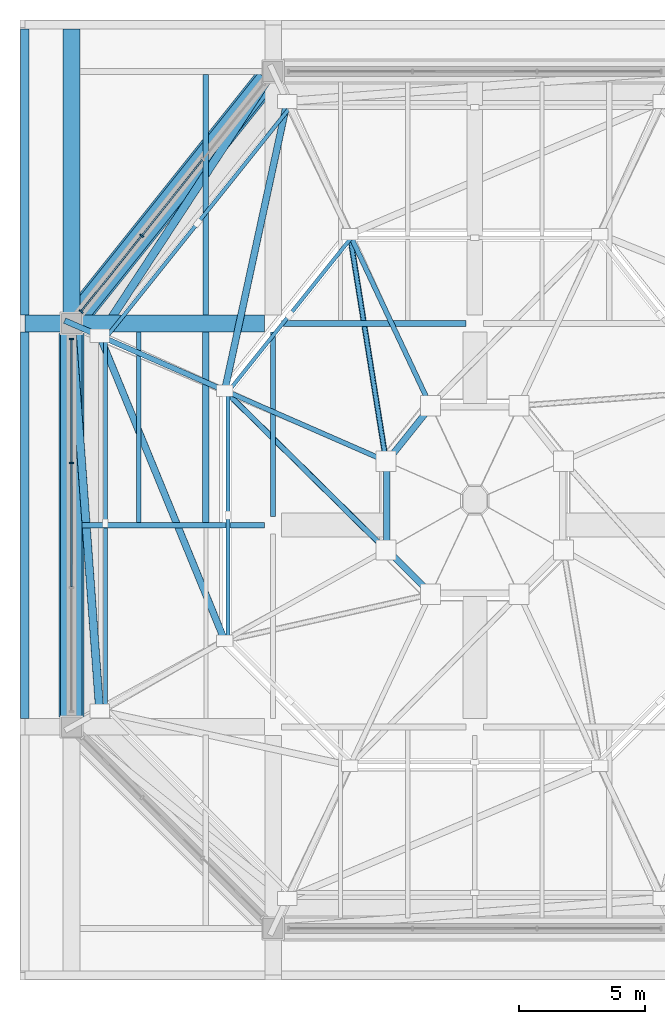
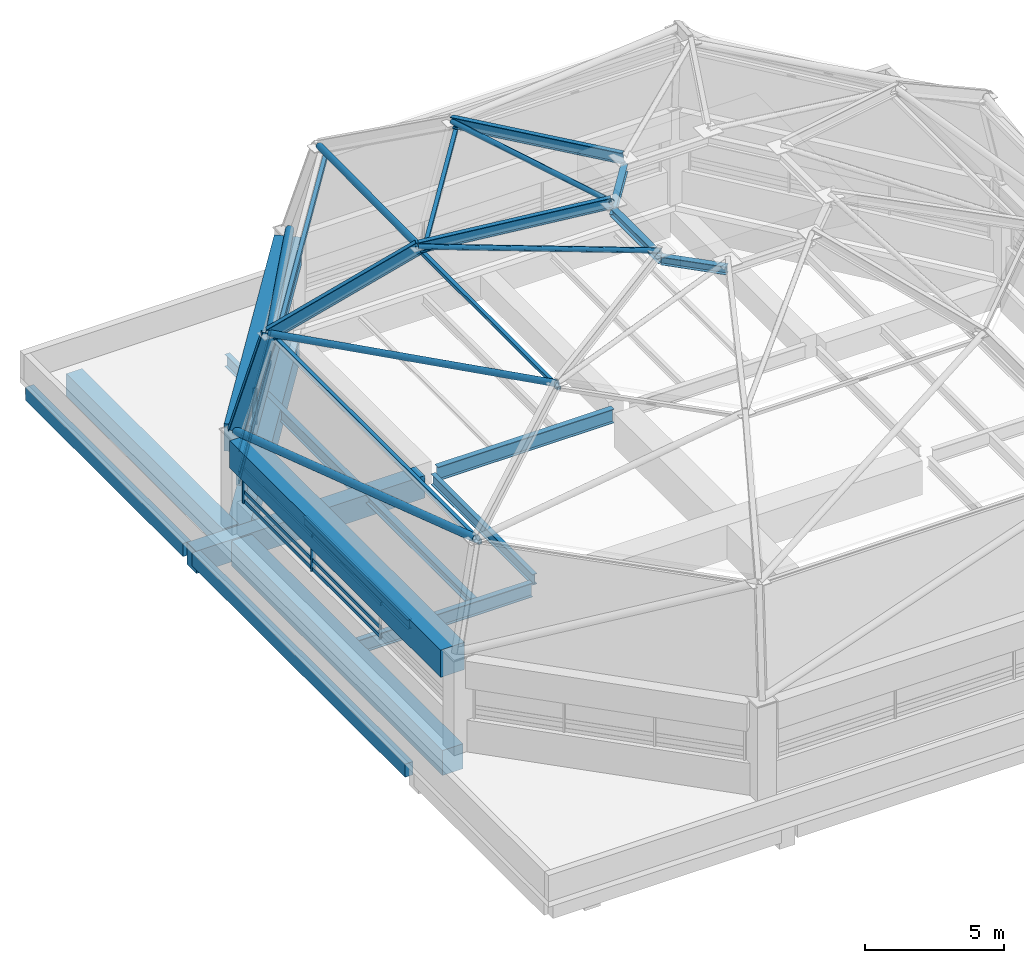
# One storey, part 4 of 10: 30 members, 17 beams, 2 elements without a shape of their own.
"""IFC4 building model written with IfcOpenShell, lengths in metres."""

import ifcopenshell
import ifcopenshell.guid

model = None  # the IFC model being written
_history = None  # IfcOwnerHistory: only IFC2X3 demands one
_inside = {}  # id of a spatial element -> (the spatial element, [elements in it])
_under = {}  # id of a project, library or spatial element -> (it, [spatial elements below it])
_declared = {}  # id of a project -> (the project, [libraries it declares])
_typed = {}  # id of a type object -> (the type object, [elements of that type])
_made_of = {}  # id of a material, layer set ... -> (it, [elements and type objects made of it])


def new_model(schema):
    """Start an empty IFC model of exactly this schema.

    Asked for "IFC4X3", IfcOpenShell would pick the latest addendum, in which some entities
    have other attributes; the version numbers below select the first issue.
    IFC2X3 requires an IfcOwnerHistory on every rooted entity: one is made here for all.
    """
    global model, _history
    if schema == "IFC4X3":
        model = ifcopenshell.file(schema_version=(4, 3, 0, 0))
    else:
        model = ifcopenshell.file(schema=schema)
    _inside.clear()
    _under.clear()
    _declared.clear()
    _typed.clear()
    _made_of.clear()
    _history = None
    if model.schema == "IFC2X3":
        org = make("IfcOrganization", Name="unknown")
        user = make(
            "IfcPersonAndOrganization",
            ThePerson=make("IfcPerson", FamilyName="unknown"),
            TheOrganization=org,
        )
        app = make(
            "IfcApplication",
            ApplicationDeveloper=org,
            Version="unknown",
            ApplicationFullName="unknown",
            ApplicationIdentifier="unknown",
        )
        _history = make(
            "IfcOwnerHistory",
            OwningUser=user,
            OwningApplication=app,
            ChangeAction="ADDED",
            CreationDate=0,
        )
    return model


def make(cls, **values):
    """One entity of the class cls with the attributes given. An attribute that is None is left unset."""
    return model.create_entity(
        cls, **{name: value for name, value in values.items() if value is not None}
    )


def rooted(cls, **values):
    """An entity with a GlobalId (a new one), such as an element, a storey or a relation."""
    return make(cls, GlobalId=ifcopenshell.guid.new(), OwnerHistory=_history, **values)


def si_unit(unit_type, name, prefix=None):
    """IfcSIUnit, for example si_unit("LENGTHUNIT", "METRE", prefix="MILLI")."""
    return make("IfcSIUnit", UnitType=unit_type, Prefix=prefix, Name=name)


def assignment(units):
    """IfcUnitAssignment: the units of a project."""
    return None if units is None else make("IfcUnitAssignment", Units=units)


def point(xyz):
    """IfcCartesianPoint."""
    return None if xyz is None else make("IfcCartesianPoint", Coordinates=xyz)


def direction(xyz):
    """IfcDirection."""
    return None if xyz is None else make("IfcDirection", DirectionRatios=xyz)


def frame(location, z_axis=None, x_axis=None):
    """IfcAxis2Placement3D, a coordinate frame: its origin and axes. An axis left out is left unset."""
    return make(
        "IfcAxis2Placement3D",
        Location=point(location),
        Axis=direction(z_axis),
        RefDirection=direction(x_axis),
    )


def frame_2d(location, x_axis=None):
    """IfcAxis2Placement2D, a coordinate frame in the plane: its origin and x axis."""
    return make(
        "IfcAxis2Placement2D", Location=point(location), RefDirection=direction(x_axis)
    )


def origin():
    """The frame at (0, 0, 0) with its axes left unset."""
    return frame((0.0, 0.0, 0.0))


def origin_2d():
    """The frame at (0, 0) in the plane with its x axis left unset."""
    return frame_2d((0.0, 0.0))


def place(relative_to, where):
    """IfcLocalPlacement: puts the frame where relative to a parent placement (None: the world)."""
    return make(
        "IfcLocalPlacement", PlacementRelTo=relative_to, RelativePlacement=where
    )


def context(
    kind, dimensions, precision=None, world=None, true_north=None, identifier=None
):
    """IfcGeometricRepresentationContext, for example the 3D "Model" context."""
    return make(
        "IfcGeometricRepresentationContext",
        ContextIdentifier=identifier,
        ContextType=kind,
        CoordinateSpaceDimension=dimensions,
        Precision=precision,
        WorldCoordinateSystem=world,
        TrueNorth=true_north,
    )


def subcontext(parent, identifier, kind, view, scale=None):
    """IfcGeometricRepresentationSubContext, for example "Body" below "Model"."""
    return make(
        "IfcGeometricRepresentationSubContext",
        ContextIdentifier=identifier,
        ContextType=kind,
        ParentContext=parent,
        TargetScale=scale,
        TargetView=view,
    )


def project(units=None, contexts=None):
    """IfcProject with its units and contexts."""
    return rooted(
        "IfcProject",
        Name="project",
        RepresentationContexts=contexts,
        UnitsInContext=assignment(units),
    )


def spatial(cls, under=None, at=None, **own):
    """A site, building, storey or space (cls), placed at a placement, below another one or the project."""
    s = rooted(cls, ObjectPlacement=at, **own)
    if under is not None:
        _under.setdefault(under.id(), (under, []))[1].append(s)
    return s


def profile(cls, at=None, kind="AREA", **sizes):
    """A parametric profile (cls). Its sizes go by their IFC names, for example OverallWidth=200.0."""
    return make(cls, ProfileType=kind, Position=at, **sizes)


def rectangle(**sizes):
    """IfcRectangleProfileDef."""
    return profile("IfcRectangleProfileDef", **sizes)


def hollow_rectangle(**sizes):
    """IfcRectangleHollowProfileDef."""
    return profile("IfcRectangleHollowProfileDef", **sizes)


def hollow_circle(**sizes):
    """IfcCircleHollowProfileDef."""
    return profile("IfcCircleHollowProfileDef", **sizes)


def i_section(**sizes):
    """IfcIShapeProfileDef."""
    return profile("IfcIShapeProfileDef", **sizes)


def extrude(swept, where, along, depth):
    """IfcExtrudedAreaSolid: the profile swept, set in the frame where, extruded along a direction by depth."""
    return make(
        "IfcExtrudedAreaSolid",
        SweptArea=swept,
        Position=where,
        ExtrudedDirection=direction(along),
        Depth=depth,
    )


def shape(context_of_items, identifier, shape_type, items):
    """IfcShapeRepresentation: the items that make up one representation, for example the "Body"."""
    return make(
        "IfcShapeRepresentation",
        ContextOfItems=context_of_items,
        RepresentationIdentifier=identifier,
        RepresentationType=shape_type,
        Items=items,
    )


def material(Name=None, Category=None):
    """IfcMaterial."""
    return make("IfcMaterial", Name=Name, Category=Category)


def material_profile(
    of_material, cross_section, Name=None, Category=None, Priority=None
):
    """IfcMaterialProfile: a cross section and its material."""
    return make(
        "IfcMaterialProfile",
        Name=Name,
        Material=of_material,
        Profile=cross_section,
        Priority=Priority,
        Category=Category,
    )


def profile_set(profiles, Name=None, composite=None):
    """IfcMaterialProfileSet."""
    return make(
        "IfcMaterialProfileSet",
        Name=Name,
        MaterialProfiles=profiles,
        CompositeProfile=composite,
    )


def made_of(thing, what):
    """Note that an element or type object is made of a material, layer set ...; save() writes the relation."""
    if what is not None:
        _made_of.setdefault(what.id(), (what, []))[1].append(thing)
    return thing


def type_object(cls, material=None, **own):
    """A type object (cls), such as IfcWallType, which elements share."""
    return made_of(rooted(cls, **own), material)


def element(
    cls,
    number,
    at=None,
    inside=None,
    cuts=None,
    type_object=None,
    material=None,
    context=None,
    identifier="Body",
    shape_type=None,
    held_by="IfcProductDefinitionShape",
    body=None,
    shapes=None,
    **own,
):
    """One element of the class cls, such as IfcWall. Its Tag is "e" and its number.

    at: its placement. inside: the storey or other place that contains it. cuts: it is an
    opening in that element (IfcRelVoidsElement). A single representation is given by context,
    identifier, shape_type and body (its items); several are given by shapes. held_by: the class
    of the entity that holds the representations. save() writes the other relations.
    """
    e = rooted(cls, Tag="e%d" % number, ObjectPlacement=at, **own)
    if body is not None:
        shapes = [shape(context, identifier, shape_type, body)]
    if shapes is not None:
        e.Representation = make(held_by, Representations=shapes)
    if inside is not None:
        _inside.setdefault(inside.id(), (inside, []))[1].append(e)
    if cuts is not None:
        rooted(
            "IfcRelVoidsElement", RelatingBuildingElement=cuts, RelatedOpeningElement=e
        )
    if type_object is not None:
        _typed.setdefault(type_object.id(), (type_object, []))[1].append(e)
    return made_of(e, material)


def aggregate(whole, parts):
    """IfcRelAggregates: a whole, such as a stair, and the parts it consists of."""
    return rooted("IfcRelAggregates", RelatingObject=whole, RelatedObjects=parts)


def save(model, path):
    """Write the relations noted so far, then the file.

    IfcRelAggregates (storeys below a building ...), IfcRelContainedInSpatialStructure (elements
    in a storey), IfcRelDefinesByType, IfcRelAssociatesMaterial and IfcRelDeclares: one each for
    every whole, place, type object, material and project.
    """
    for whole, parts in _under.values():
        aggregate(whole, parts)
    for where, things in _inside.values():
        rooted(
            "IfcRelContainedInSpatialStructure",
            RelatedElements=things,
            RelatingStructure=where,
        )
    for kind, things in _typed.values():
        rooted("IfcRelDefinesByType", RelatedObjects=things, RelatingType=kind)
    for what, things in _made_of.values():
        rooted("IfcRelAssociatesMaterial", RelatedObjects=things, RelatingMaterial=what)
    for by, libraries in _declared.values():
        rooted("IfcRelDeclares", RelatingContext=by, RelatedDefinitions=libraries)
    model.write(path)


model = new_model("IFC4")

# Units and contexts
model_context = context("Model", 3, precision=1e-05, world=origin(), true_north=direction((0.0, 1.0)))
body_context = subcontext(model_context, "Body", "Model", "MODEL_VIEW")
ifc_project = project(units=[si_unit("LENGTHUNIT", "METRE"), si_unit("AREAUNIT", "SQUARE_METRE"), si_unit("VOLUMEUNIT", "CUBIC_METRE"), si_unit("PLANEANGLEUNIT", "RADIAN"), si_unit("MASSUNIT", "GRAM", prefix="KILO")], contexts=[model_context])

# Site, building, storey
site_placement = place(None, origin())
site = spatial("IfcSite", under=ifc_project, at=site_placement, CompositionType="ELEMENT")
building_placement = place(site_placement, origin())
building = spatial("IfcBuilding", under=site, at=building_placement, Name="Pecanmere Concourse Central Library", CompositionType="ELEMENT")
storey_placement = place(building_placement, frame((0.0, 0.0, 34.800048828125)))
storey = spatial("IfcBuildingStorey", under=building, at=storey_placement, Name="ROOF", CompositionType="ELEMENT", Elevation=34.800048828125)

# Curtain wall, members
ifc_material_1 = material(Name="Anodized bronze aluminium alloy 6063-T6", Category="aluminium")
curtain_wall_type = type_object("IfcCurtainWallType", Name="CW_PORTAL_CLEAR", PredefinedType="USERDEFINED", material=ifc_material_1)
curtain_wall_1_placement = place(storey_placement, origin())
curtain_wall_1 = element("IfcCurtainWall", 1, at=curtain_wall_1_placement, inside=storey, type_object=curtain_wall_type, Name="Unitised Curtain Wall CW-03 ROOF-178", ObjectType="UNITISED CURTAIN WALL", PredefinedType="USERDEFINED")
ifc_material_2 = material(Name="Anodized bronze aluminium alloy 6063-T6", Category="aluminium")
ifc_material_profile_1 = material_profile(ifc_material_2, rectangle(XDim=0.06494140625, YDim=0.179931640625, at=origin_2d()), Name="AL 65x180")
ifc_profile_set_1 = profile_set([ifc_material_profile_1], Name="Anodized bronze aluminium alloy 6063-T6")
member_type_1 = type_object("IfcMemberType", Name="CWM_180x65", PredefinedType="MULLION", material=ifc_profile_set_1)
member_1_placement = place(storey_placement, frame((74.787353515625, 117.484375, 1.419921875), z_axis=(0.0, 0.0, 1.0), x_axis=(-0.62469714181, -0.780867134034, 0.0)))
member_1 = element("IfcMember", 2, at=member_1_placement, type_object=member_type_1, Name="CW-03 Mullion 3", PredefinedType="MULLION", context=body_context, shape_type="SweptSolid", body=[
    extrude(rectangle(XDim=0.06494140625, YDim=0.179931640625, at=origin_2d()), origin(), (0.0, 0.0, 1.0), 1.580078125),
])
member_2_placement = place(storey_placement, frame((72.382568359375, 114.478271484375, 1.419921875), z_axis=(0.0, 0.0, 1.0), x_axis=(-0.62469714181, -0.780867134034, 0.0)))
member_2 = element("IfcMember", 3, at=member_2_placement, type_object=member_type_1, Name="CW-03 Mullion 4", PredefinedType="MULLION", context=body_context, shape_type="SweptSolid", body=[
    extrude(rectangle(XDim=0.06494140625, YDim=0.179931640625, at=origin_2d()), origin(), (0.0, 0.0, 1.0), 1.580078125),
])

curtain_wall_2_placement = place(storey_placement, origin())
curtain_wall_2 = element("IfcCurtainWall", 4, at=curtain_wall_2_placement, inside=storey, type_object=curtain_wall_type, Name="Unitised Curtain Wall CW-03 ROOF-179", ObjectType="UNITISED CURTAIN WALL", PredefinedType="USERDEFINED")
member_3_placement = place(storey_placement, frame((72.0, 113.387451171875, 1.419921875), z_axis=(0.0, 0.0, 1.0), x_axis=(0.0, -1.0, 0.0)))
member_3 = element("IfcMember", 5, at=member_3_placement, type_object=member_type_1, Name="CW-03 Mullion 1", PredefinedType="MULLION", context=body_context, shape_type="SweptSolid", body=[
    extrude(rectangle(XDim=0.06494140625, YDim=0.179931640625, at=origin_2d()), origin(), (0.0, 0.0, 1.0), 1.580078125),
])
member_4_placement = place(storey_placement, frame((72.0, 108.473388671875, 1.419921875), z_axis=(0.0, 0.0, 1.0), x_axis=(0.0, -1.0, 0.0)))
member_4 = element("IfcMember", 6, at=member_4_placement, type_object=member_type_1, Name="CW-03 Mullion 2", PredefinedType="MULLION", context=body_context, shape_type="SweptSolid", body=[
    extrude(rectangle(XDim=0.06494140625, YDim=0.179931640625, at=origin_2d()), origin(), (0.0, 0.0, 1.0), 1.580078125),
])

# Member
ifc_material_3 = material(Name="Anodized bronze aluminium alloy 6063-T6", Category="aluminium")
ifc_material_profile_2 = material_profile(ifc_material_3, rectangle(XDim=0.06005859375, YDim=0.159912109375, at=origin_2d()), Name="AL 60x160")
ifc_profile_set_2 = profile_set([ifc_material_profile_2], Name="Anodized bronze aluminium alloy 6063-T6")
member_type_2 = type_object("IfcMemberType", Name="CWT_160x60", PredefinedType="USERDEFINED", material=ifc_profile_set_2)
member_5_placement = place(storey_placement, frame((77.1923828125, 120.490234375, 1.5), z_axis=(-0.624757445177, -0.780818887256, 0.0), x_axis=(0.780818887256, -0.624757445177, 0.0)))
member_5 = element("IfcMember", 7, at=member_5_placement, type_object=member_type_2, Name="CW-03 Transom 2.1", ObjectType="TRANSOM", PredefinedType="USERDEFINED", context=body_context, shape_type="SweptSolid", body=[
    extrude(rectangle(XDim=0.06005859375, YDim=0.159912109375, at=origin_2d()), origin(), (0.0, 0.0, 1.0), 3.817138671875),
])

member_6_placement = place(storey_placement, frame((77.1923828125, 120.490234375, 1.89990234375), z_axis=(-0.624757445177, -0.780818887256, 0.0), x_axis=(0.780818887256, -0.624757445177, 0.0)))
member_6 = element("IfcMember", 8, at=member_6_placement, type_object=member_type_2, Name="CW-03 Transom 2.2", ObjectType="TRANSOM", PredefinedType="USERDEFINED", context=body_context, shape_type="SweptSolid", body=[
    extrude(rectangle(XDim=0.06005859375, YDim=0.159912109375, at=origin_2d()), origin(), (0.0, 0.0, 1.0), 3.817138671875),
])

member_7_placement = place(storey_placement, frame((77.1923828125, 120.490234375, 2.919921875), z_axis=(-0.624757445177, -0.780818887256, 0.0), x_axis=(0.780818887256, -0.624757445177, 0.0)))
member_7 = element("IfcMember", 9, at=member_7_placement, type_object=member_type_2, Name="CW-03 Transom 2.3", ObjectType="TRANSOM", PredefinedType="USERDEFINED", context=body_context, shape_type="SweptSolid", body=[
    extrude(rectangle(XDim=0.06005859375, YDim=0.159912109375, at=origin_2d()), origin(), (0.0, 0.0, 1.0), 3.817138671875),
])

member_8_placement = place(storey_placement, frame((74.76708984375, 117.458984375, 1.5), z_axis=(-0.624695047554, -0.780868809443, 0.0), x_axis=(0.780868809443, -0.624695047554, 0.0)))
member_8 = element("IfcMember", 10, at=member_8_placement, type_object=member_type_2, Name="CW-03 Transom 3.1", ObjectType="TRANSOM", PredefinedType="USERDEFINED", context=body_context, shape_type="SweptSolid", body=[
    extrude(rectangle(XDim=0.06005859375, YDim=0.159912109375, at=origin_2d()), origin(), (0.0, 0.0, 1.0), 3.78466796875),
])

member_9_placement = place(storey_placement, frame((74.76708984375, 117.458984375, 1.89990234375), z_axis=(-0.624695047554, -0.780868809443, 0.0), x_axis=(0.780868809443, -0.624695047554, 0.0)))
member_9 = element("IfcMember", 11, at=member_9_placement, type_object=member_type_2, Name="CW-03 Transom 3.2", ObjectType="TRANSOM", PredefinedType="USERDEFINED", context=body_context, shape_type="SweptSolid", body=[
    extrude(rectangle(XDim=0.06005859375, YDim=0.159912109375, at=origin_2d()), origin(), (0.0, 0.0, 1.0), 3.78466796875),
])

member_10_placement = place(storey_placement, frame((74.76708984375, 117.458984375, 2.919921875), z_axis=(-0.624695047554, -0.780868809443, 0.0), x_axis=(0.780868809443, -0.624695047554, 0.0)))
member_10 = element("IfcMember", 12, at=member_10_placement, type_object=member_type_2, Name="CW-03 Transom 3.3", ObjectType="TRANSOM", PredefinedType="USERDEFINED", context=body_context, shape_type="SweptSolid", body=[
    extrude(rectangle(XDim=0.06005859375, YDim=0.159912109375, at=origin_2d()), origin(), (0.0, 0.0, 1.0), 3.78466796875),
])

aggregate(curtain_wall_1, [member_1, member_2, member_5, member_6, member_7, member_8, member_9, member_10])

member_11_placement = place(storey_placement, frame((72.0, 113.35498046875, 1.5), z_axis=(0.0, -1.0, 0.0), x_axis=(1.0, 0.0, 0.0)))
member_11 = element("IfcMember", 13, at=member_11_placement, type_object=member_type_2, Name="CW-03 Transom 1.1", ObjectType="TRANSOM", PredefinedType="USERDEFINED", context=body_context, shape_type="SweptSolid", body=[
    extrude(rectangle(XDim=0.06005859375, YDim=0.159912109375, at=origin_2d()), origin(), (0.0, 0.0, 1.0), 4.84912109375),
])

member_12_placement = place(storey_placement, frame((72.0, 113.35498046875, 1.89990234375), z_axis=(0.0, -1.0, 0.0), x_axis=(1.0, 0.0, 0.0)))
member_12 = element("IfcMember", 14, at=member_12_placement, type_object=member_type_2, Name="CW-03 Transom 1.2", ObjectType="TRANSOM", PredefinedType="USERDEFINED", context=body_context, shape_type="SweptSolid", body=[
    extrude(rectangle(XDim=0.06005859375, YDim=0.159912109375, at=origin_2d()), origin(), (0.0, 0.0, 1.0), 4.84912109375),
])

member_13_placement = place(storey_placement, frame((72.0, 113.35498046875, 2.919921875), z_axis=(0.0, -1.0, 0.0), x_axis=(1.0, 0.0, 0.0)))
member_13 = element("IfcMember", 15, at=member_13_placement, type_object=member_type_2, Name="CW-03 Transom 1.3", ObjectType="TRANSOM", PredefinedType="USERDEFINED", context=body_context, shape_type="SweptSolid", body=[
    extrude(rectangle(XDim=0.06005859375, YDim=0.159912109375, at=origin_2d()), origin(), (0.0, 0.0, 1.0), 4.84912109375),
])

member_14_placement = place(storey_placement, frame((72.0, 108.44091796875, 1.5), z_axis=(0.0, -1.0, 0.0), x_axis=(1.0, 0.0, 0.0)))
member_14 = element("IfcMember", 16, at=member_14_placement, type_object=member_type_2, Name="CW-03 Transom 2.1", ObjectType="TRANSOM", PredefinedType="USERDEFINED", context=body_context, shape_type="SweptSolid", body=[
    extrude(rectangle(XDim=0.06005859375, YDim=0.159912109375, at=origin_2d()), origin(), (0.0, 0.0, 1.0), 4.8818359375),
])

member_15_placement = place(storey_placement, frame((72.0, 108.44091796875, 1.89990234375), z_axis=(0.0, -1.0, 0.0), x_axis=(1.0, 0.0, 0.0)))
member_15 = element("IfcMember", 17, at=member_15_placement, type_object=member_type_2, Name="CW-03 Transom 2.2", ObjectType="TRANSOM", PredefinedType="USERDEFINED", context=body_context, shape_type="SweptSolid", body=[
    extrude(rectangle(XDim=0.06005859375, YDim=0.159912109375, at=origin_2d()), origin(), (0.0, 0.0, 1.0), 4.8818359375),
])

member_16_placement = place(storey_placement, frame((72.0, 108.44091796875, 2.919921875), z_axis=(0.0, -1.0, 0.0), x_axis=(1.0, 0.0, 0.0)))
member_16 = element("IfcMember", 18, at=member_16_placement, type_object=member_type_2, Name="CW-03 Transom 2.3", ObjectType="TRANSOM", PredefinedType="USERDEFINED", context=body_context, shape_type="SweptSolid", body=[
    extrude(rectangle(XDim=0.06005859375, YDim=0.159912109375, at=origin_2d()), origin(), (0.0, 0.0, 1.0), 4.8818359375),
])

aggregate(curtain_wall_2, [member_3, member_4, member_11, member_12, member_13, member_14, member_15, member_16])

# Beams
ifc_material_4 = material(Name="Concrete C40/50", Category="concrete")
ifc_material_profile_3 = material_profile(ifc_material_4, rectangle(XDim=0.659912109375, YDim=0.97998046875, at=origin_2d()), Name="RC 660x980")
ifc_profile_set_3 = profile_set([ifc_material_profile_3], Name="Concrete C40/50")
beam_type_1 = type_object("IfcBeamType", Name="GRD_660x980", PredefinedType="USERDEFINED", material=ifc_profile_set_3)
beam_1_placement = place(storey_placement, frame((70.1484375, 114.0, -0.72998046875), z_axis=(1.0, 0.0, 0.0), x_axis=(0.0, 1.0, 0.0)))
element("IfcBeam", 19, at=beam_1_placement, inside=storey, type_object=beam_type_1, Name="Primary Girder X ROOF-2865", ObjectType="GIRDER", PredefinedType="USERDEFINED", context=body_context, shape_type="SweptSolid", body=[
    extrude(rectangle(XDim=0.659912109375, YDim=0.97998046875, at=origin_2d()), origin(), (0.0, 0.0, 1.0), 9.511474609375),
])
beam_2_placement = place(storey_placement, frame((72.0, 114.39990234375, -0.72998046875), z_axis=(0.0, 1.0, 0.0), x_axis=(-1.0, 0.0, 0.0)))
element("IfcBeam", 20, at=beam_2_placement, inside=storey, type_object=beam_type_1, Name="Primary Girder Y ROOF-2872", ObjectType="GIRDER", PredefinedType="USERDEFINED", context=body_context, shape_type="SweptSolid", body=[
    extrude(rectangle(XDim=0.659912109375, YDim=0.97998046875, at=origin_2d()), origin(), (0.0, 0.0, 1.0), 11.281494140625),
])

# Members
ifc_material_5 = material(Name="Structural steel ASTM A500 Grade C", Category="steel")
ifc_material_profile_4 = material_profile(ifc_material_5, hollow_circle(Radius=0.162109375, WallThickness=0.0126953125, at=origin_2d()), Name="HSS323.9x12.7")
ifc_profile_set_4 = profile_set([ifc_material_profile_4], Name="Structural steel ASTM A500 Grade C")
member_type_3 = type_object("IfcMemberType", Name="MEM_BRACE_1", PredefinedType="BRACE", material=ifc_profile_set_4)
member_17_placement = place(storey_placement, frame((80.0, 124.0, 4.199951171875), z_axis=(-0.520052021419, -0.792940922794, 0.317475334438), x_axis=(0.836200474931, -0.548423892372, 0.0)))
element("IfcMember", 21, at=member_17_placement, inside=storey, type_object=member_type_3, Name="Dome Lower Wind Brace 6", PredefinedType="BRACE", context=body_context, shape_type="SweptSolid", body=[
    extrude(hollow_circle(Radius=0.162109375, WallThickness=0.0126953125, at=origin_2d()), origin(), (0.0, 0.0, 1.0), 13.229248046875),
])
member_18_placement = place(storey_placement, frame((72.0, 114.0, 4.199951171875), z_axis=(0.070125932595, -0.962259854496, 0.262941677948), x_axis=(0.997355053588, 0.072683540661, 0.0)))
element("IfcMember", 22, at=member_18_placement, inside=storey, type_object=member_type_3, Name="Dome Lower Wind Brace 7", PredefinedType="BRACE", context=body_context, shape_type="SweptSolid", body=[
    extrude(hollow_circle(Radius=0.162109375, WallThickness=0.0126953125, at=origin_2d()), origin(), (0.0, 0.0, 1.0), 15.972900390625),
])
ifc_material_6 = material(Name="Structural steel ASTM A500 Grade C", Category="steel")
ifc_material_profile_5 = material_profile(ifc_material_6, hollow_circle(Radius=0.136474609375, WallThickness=0.0126953125, at=origin_2d()), Name="HSS273.1x12.7")
ifc_profile_set_5 = profile_set([ifc_material_profile_5], Name="Structural steel ASTM A500 Grade C")
member_type_4 = type_object("IfcMemberType", Name="MEM_BRACE_2", PredefinedType="BRACE", material=ifc_profile_set_5)
member_19_placement = place(storey_placement, frame((80.56005859375, 122.81005859375, 8.39990234375), z_axis=(-0.202983049359, -0.938801598931, 0.278297394017), x_axis=(0.977414397729, -0.211331718187, 0.0)))
element("IfcMember", 23, at=member_19_placement, inside=storey, type_object=member_type_4, Name="Dome Upper Wind Brace 6", PredefinedType="BRACE", context=body_context, shape_type="SweptSolid", body=[
    extrude(hollow_circle(Radius=0.136474609375, WallThickness=0.0126953125, at=origin_2d()), origin(), (0.0, 0.0, 1.0), 12.2177734375),
])
member_20_placement = place(storey_placement, frame((73.1201171875, 113.510009765625, 8.39990234375), z_axis=(0.367321451373, -0.895359598023, 0.25180576163), x_axis=(0.925170636943, 0.379551435959, 0.0)))
element("IfcMember", 24, at=member_20_placement, inside=storey, type_object=member_type_4, Name="Dome Upper Wind Brace 7", PredefinedType="BRACE", context=body_context, shape_type="SweptSolid", body=[
    extrude(hollow_circle(Radius=0.136474609375, WallThickness=0.0126953125, at=origin_2d()), origin(), (0.0, 0.0, 1.0), 13.503173828125),
])
ifc_material_7 = material(Name="Structural steel ASTM A500 Grade C", Category="steel")
ifc_material_profile_6 = material_profile(ifc_material_7, hollow_circle(Radius=0.109619140625, WallThickness=0.009521484375, at=origin_2d()), Name="HSS219.1x9.5")
ifc_profile_set_6 = profile_set([ifc_material_profile_6], Name="Structural steel ASTM A500 Grade C")
member_type_5 = type_object("IfcMemberType", Name="MEM_BRACE_3", PredefinedType="BRACE", material=ifc_profile_set_6)
member_21_placement = place(storey_placement, frame((83.0400390625, 117.5400390625, 11.800048828125), z_axis=(0.156101312728, -0.975672904784, 0.153931033372), x_axis=(0.987441634807, 0.157984232913, 0.0)))
element("IfcMember", 25, at=member_21_placement, inside=storey, type_object=member_type_5, Name="Dome Oculus Wind Brace 6", PredefinedType="BRACE", context=body_context, shape_type="SweptSolid", body=[
    extrude(hollow_circle(Radius=0.109619140625, WallThickness=0.009521484375, at=origin_2d()), origin(), (0.0, 0.0, 1.0), 9.224365234375),
])
member_22_placement = place(storey_placement, frame((78.080078125, 111.340087890625, 11.800048828125), z_axis=(0.70282699597, -0.694059756034, 0.155933539657), x_axis=(0.702654948131, 0.711530761012, 0.0)))
element("IfcMember", 26, at=member_22_placement, inside=storey, type_object=member_type_5, Name="Dome Oculus Wind Brace 7", PredefinedType="BRACE", context=body_context, shape_type="SweptSolid", body=[
    extrude(hollow_circle(Radius=0.109619140625, WallThickness=0.009521484375, at=origin_2d()), origin(), (0.0, 0.0, 1.0), 9.10595703125),
])
ifc_material_8 = material(Name="Structural steel ASTM A992 Grade 50", Category="steel")
ifc_material_profile_7 = material_profile(ifc_material_8, i_section(OverallWidth=0.22998046875, OverallDepth=0.616943359375, WebThickness=0.01318359375, FlangeThickness=0.022216796875, at=origin_2d()), Name="W610x140")
ifc_profile_set_7 = profile_set([ifc_material_profile_7], Name="Structural steel ASTM A992 Grade 50")
member_type_6 = type_object("IfcMemberType", Name="MEM_DOME_RIB_1", PredefinedType="USERDEFINED", material=ifc_profile_set_7)
member_23_placement = place(storey_placement, frame((72.0, 114.0, 4.199951171875), z_axis=(0.256068811776, -0.112016151969, 0.960146418696), x_axis=(0.40077693153, 0.9161756661, 0.0)))
element("IfcMember", 27, at=member_23_placement, inside=storey, type_object=member_type_6, Name="Octagonal Dome Arch Rib 7 Tier 1", ObjectType="ARCH_SEGMENT", PredefinedType="USERDEFINED", context=body_context, shape_type="SweptSolid", body=[
    extrude(i_section(OverallWidth=0.22998046875, OverallDepth=0.616943359375, WebThickness=0.01318359375, FlangeThickness=0.022216796875, at=origin_2d()), origin(), (0.0, 0.0, 1.0), 4.374267578125),
])
ifc_material_9 = material(Name="Structural steel ASTM A992 Grade 50", Category="steel")
ifc_material_profile_8 = material_profile(ifc_material_9, i_section(OverallWidth=0.2109375, OverallDepth=0.5390625, WebThickness=0.01171875, FlangeThickness=0.018798828125, at=origin_2d()), Name="W530x109")
ifc_profile_set_8 = profile_set([ifc_material_profile_8], Name="Structural steel ASTM A992 Grade 50")
member_type_7 = type_object("IfcMemberType", Name="MEM_DOME_RIB_2", PredefinedType="USERDEFINED", material=ifc_profile_set_8)
member_24_placement = place(storey_placement, frame((73.1201171875, 113.510009765625, 8.39990234375), z_axis=(0.775839431615, -0.339420204184, 0.531852518414), x_axis=(0.400809371323, 0.916161474774, 0.0)))
element("IfcMember", 28, at=member_24_placement, inside=storey, type_object=member_type_7, Name="Octagonal Dome Arch Rib 7 Tier 2", ObjectType="ARCH_SEGMENT", PredefinedType="USERDEFINED", context=body_context, shape_type="SweptSolid", body=[
    extrude(i_section(OverallWidth=0.2109375, OverallDepth=0.5390625, WebThickness=0.01171875, FlangeThickness=0.018798828125, at=origin_2d()), origin(), (0.0, 0.0, 1.0), 6.39306640625),
])
ifc_material_10 = material(Name="Structural steel ASTM A992 Grade 50", Category="steel")
ifc_material_profile_9 = material_profile(ifc_material_10, i_section(OverallWidth=0.194091796875, OverallDepth=0.468994140625, WebThickness=0.0126953125, FlangeThickness=0.0205078125, at=origin_2d()), Name="W460x106")
ifc_profile_set_9 = profile_set([ifc_material_profile_9], Name="Structural steel ASTM A992 Grade 50")
member_type_8 = type_object("IfcMemberType", Name="MEM_DOME_RIB_3", PredefinedType="USERDEFINED", material=ifc_profile_set_9)
member_25_placement = place(storey_placement, frame((83.0400390625, 117.5400390625, 11.800048828125), z_axis=(0.418387114144, -0.889092568112, 0.185651900195), x_axis=(0.904822383259, 0.425789213994, 0.0)))
element("IfcMember", 29, at=member_25_placement, inside=storey, type_object=member_type_8, Name="Octagonal Dome Arch Rib 6 Tier 3", ObjectType="ARCH_SEGMENT", PredefinedType="USERDEFINED", context=body_context, shape_type="SweptSolid", body=[
    extrude(i_section(OverallWidth=0.194091796875, OverallDepth=0.468994140625, WebThickness=0.0126953125, FlangeThickness=0.0205078125, at=origin_2d()), origin(), (0.0, 0.0, 1.0), 7.648193359375),
])
member_26_placement = place(storey_placement, frame((78.080078125, 111.340087890625, 11.800048828125), z_axis=(0.897793632222, -0.392797557334, 0.199190042153), x_axis=(0.400829834325, 0.91615252219, 0.0)))
element("IfcMember", 30, at=member_26_placement, inside=storey, type_object=member_type_8, Name="Octagonal Dome Arch Rib 7 Tier 3", ObjectType="ARCH_SEGMENT", PredefinedType="USERDEFINED", context=body_context, shape_type="SweptSolid", body=[
    extrude(i_section(OverallWidth=0.194091796875, OverallDepth=0.468994140625, WebThickness=0.0126953125, FlangeThickness=0.0205078125, at=origin_2d()), origin(), (0.0, 0.0, 1.0), 7.12841796875),
])
ifc_material_11 = material(Name="Structural steel ASTM A500 Grade C", Category="steel")
ifc_material_profile_10 = material_profile(ifc_material_11, hollow_rectangle(XDim=0.152099609375, YDim=0.202880859375, WallThickness=0.009521484375, at=origin_2d()), Name="HSS203x152x9.5")
ifc_profile_set_10 = profile_set([ifc_material_profile_10], Name="Structural steel ASTM A500 Grade C")
member_type_9 = type_object("IfcMemberType", Name="MEM_PURLIN_1", PredefinedType="PURLIN", material=ifc_profile_set_10)
member_27_placement = place(storey_placement, frame((80.672119140625, 122.572021484375, 8.099853515625), z_axis=(-0.624705199895, -0.780860687462, 0.0), x_axis=(0.780860687462, -0.624705199895, 0.0)))
element("IfcMember", 31, at=member_27_placement, inside=storey, type_object=member_type_9, Name="Dome Octagonal Purlin Ring 1.6", PredefinedType="PURLIN", context=body_context, shape_type="SweptSolid", body=[
    extrude(hollow_rectangle(XDim=0.152099609375, YDim=0.202880859375, WallThickness=0.009521484375, at=origin_2d()), origin(), (0.0, 0.0, 1.0), 11.73046875),
])
member_28_placement = place(storey_placement, frame((73.343994140625, 113.412109375, 8.099853515625), z_axis=(0.0, -1.0, 0.0), x_axis=(1.0, 0.0, 0.0)))
element("IfcMember", 32, at=member_28_placement, inside=storey, type_object=member_type_9, Name="Dome Octagonal Purlin Ring 1.7", PredefinedType="PURLIN", context=body_context, shape_type="SweptSolid", body=[
    extrude(hollow_rectangle(XDim=0.152099609375, YDim=0.202880859375, WallThickness=0.009521484375, at=origin_2d()), origin(), (0.0, 0.0, 1.0), 14.656005859375),
])
ifc_material_12 = material(Name="Structural steel ASTM A500 Grade C", Category="steel")
ifc_material_profile_11 = material_profile(ifc_material_12, hollow_rectangle(XDim=0.152099609375, YDim=0.152099609375, WallThickness=0.008056640625, at=origin_2d()), Name="HSS152x152x8.0")
ifc_profile_set_11 = profile_set([ifc_material_profile_11], Name="Structural steel ASTM A500 Grade C")
member_type_10 = type_object("IfcMemberType", Name="MEM_PURLIN_4", PredefinedType="PURLIN", material=ifc_profile_set_11)
member_29_placement = place(storey_placement, frame((83.10400390625, 117.404052734375, 11.5), z_axis=(-0.624687449899, -0.780874887507, 0.0), x_axis=(0.780874887507, -0.624687449899, 0.0)))
element("IfcMember", 33, at=member_29_placement, inside=storey, type_object=member_type_10, Name="Dome Octagonal Purlin Ring 2.6", PredefinedType="PURLIN", context=body_context, shape_type="SweptSolid", body=[
    extrude(hollow_rectangle(XDim=0.152099609375, YDim=0.152099609375, WallThickness=0.008056640625, at=origin_2d()), origin(), (0.0, 0.0, 1.0), 7.83740234375),
])
member_30_placement = place(storey_placement, frame((78.2080078125, 111.283935546875, 11.5), z_axis=(0.0, -1.0, 0.0), x_axis=(1.0, 0.0, 0.0)))
element("IfcMember", 34, at=member_30_placement, inside=storey, type_object=member_type_10, Name="Dome Octagonal Purlin Ring 2.7", PredefinedType="PURLIN", context=body_context, shape_type="SweptSolid", body=[
    extrude(hollow_rectangle(XDim=0.152099609375, YDim=0.152099609375, WallThickness=0.008056640625, at=origin_2d()), origin(), (0.0, 0.0, 1.0), 9.7919921875),
])

# Beams
ifc_material_13 = material(Name="Concrete C40/50", Category="concrete")
ifc_material_profile_12 = material_profile(ifc_material_13, rectangle(XDim=1.0, YDim=1.199951171875, at=origin_2d()), Name="RC 1000x1200")
ifc_profile_set_12 = profile_set([ifc_material_profile_12], Name="Concrete C40/50")
beam_type_2 = type_object("IfcBeamType", Name="RB_1000x1200", PredefinedType="BEAM", material=ifc_profile_set_12)
beam_3_placement = place(storey_placement, frame((79.75, 123.687744140625, 3.599853515625), z_axis=(-0.624675208836, -0.780884680004, 0.0), x_axis=(0.780884680004, -0.624675208836, 0.0)))
element("IfcBeam", 35, at=beam_3_placement, inside=storey, type_object=beam_type_2, Name="Dome Tension Ring Beam Segment 6", PredefinedType="BEAM", context=body_context, shape_type="SweptSolid", body=[
    extrude(rectangle(XDim=1.0, YDim=1.199951171875, at=origin_2d()), origin(), (0.0, 0.0, 1.0), 12.00634765625),
])
beam_4_placement = place(storey_placement, frame((72.0, 113.60009765625, 3.599853515625), z_axis=(0.0, -1.0, 0.0), x_axis=(1.0, 0.0, 0.0)))
element("IfcBeam", 36, at=beam_4_placement, inside=storey, type_object=beam_type_2, Name="Dome Tension Ring Beam Segment 7", PredefinedType="BEAM", context=body_context, shape_type="SweptSolid", body=[
    extrude(rectangle(XDim=1.0, YDim=1.199951171875, at=origin_2d()), origin(), (0.0, 0.0, 1.0), 15.2001953125),
])
ifc_material_14 = material(Name="Concrete C40/50", Category="concrete")
ifc_material_profile_13 = material_profile(ifc_material_14, rectangle(XDim=0.85009765625, YDim=1.10009765625, at=origin_2d()), Name="RC 850x1100")
ifc_profile_set_13 = profile_set([ifc_material_profile_13], Name="Concrete C40/50")
beam_type_3 = type_object("IfcBeamType", Name="RB_850x1100", PredefinedType="BEAM", material=ifc_profile_set_13)
beam_5_placement = place(storey_placement, frame((79.75, 123.687744140625, -0.7900390625), z_axis=(-0.624675208836, -0.780884680004, 0.0), x_axis=(0.780884680004, -0.624675208836, 0.0)))
element("IfcBeam", 37, at=beam_5_placement, inside=storey, type_object=beam_type_3, Name="Drum Base Ring Girder Segment 6", PredefinedType="BEAM", context=body_context, shape_type="SweptSolid", body=[
    extrude(rectangle(XDim=0.85009765625, YDim=1.10009765625, at=origin_2d()), origin(), (0.0, 0.0, 1.0), 12.00634765625),
])
beam_6_placement = place(storey_placement, frame((72.0, 113.60009765625, -0.7900390625), z_axis=(0.0, -1.0, 0.0), x_axis=(1.0, 0.0, 0.0)))
element("IfcBeam", 38, at=beam_6_placement, inside=storey, type_object=beam_type_3, Name="Drum Base Ring Girder Segment 7", PredefinedType="BEAM", context=body_context, shape_type="SweptSolid", body=[
    extrude(rectangle(XDim=0.85009765625, YDim=1.10009765625, at=origin_2d()), origin(), (0.0, 0.0, 1.0), 15.2001953125),
])
ifc_material_15 = material(Name="Structural steel ASTM A992 Grade 50", Category="steel")
ifc_material_profile_14 = material_profile(ifc_material_15, i_section(OverallWidth=0.25390625, OverallDepth=0.35302734375, WebThickness=0.009521484375, FlangeThickness=0.016357421875, at=origin_2d()), Name="W360x91")
ifc_profile_set_14 = profile_set([ifc_material_profile_14], Name="Structural steel ASTM A992 Grade 50")
beam_type_4 = type_object("IfcBeamType", Name="SBM_W360x91", PredefinedType="BEAM", material=ifc_profile_set_14)
beam_7_placement = place(storey_placement, frame((77.333251953125, 106.114990234375, -0.41650390625), z_axis=(0.0, 1.0, 0.0), x_axis=(-1.0, 0.0, 0.0)))
element("IfcBeam", 39, at=beam_7_placement, inside=storey, type_object=beam_type_4, Name="Secondary Floor Joist ROOF-2901", PredefinedType="BEAM", context=body_context, shape_type="SweptSolid", body=[
    extrude(i_section(OverallWidth=0.25390625, OverallDepth=0.35302734375, WebThickness=0.009521484375, FlangeThickness=0.016357421875, at=origin_2d()), origin(), (0.0, 0.0, 1.0), 7.554931640625),
])
beam_8_placement = place(storey_placement, frame((86.256103515625, 110.7060546875, 12.820068359375), z_axis=(-0.624695047554, -0.780868809443, 0.0), x_axis=(0.780868809443, -0.624695047554, 0.0)))
element("IfcBeam", 40, at=beam_8_placement, inside=storey, type_object=beam_type_4, Name="Dome Oculus Compression Ring 6", PredefinedType="BEAM", context=body_context, shape_type="SweptSolid", body=[
    extrude(i_section(OverallWidth=0.25390625, OverallDepth=0.35302734375, WebThickness=0.009521484375, FlangeThickness=0.016357421875, at=origin_2d()), origin(), (0.0, 0.0, 1.0), 2.7919921875),
])
beam_9_placement = place(storey_placement, frame((84.511962890625, 108.52587890625, 12.820068359375), z_axis=(0.0, -1.0, 0.0), x_axis=(1.0, 0.0, 0.0)))
element("IfcBeam", 41, at=beam_9_placement, inside=storey, type_object=beam_type_4, Name="Dome Oculus Compression Ring 7", PredefinedType="BEAM", context=body_context, shape_type="SweptSolid", body=[
    extrude(i_section(OverallWidth=0.25390625, OverallDepth=0.35302734375, WebThickness=0.009521484375, FlangeThickness=0.016357421875, at=origin_2d()), origin(), (0.0, 0.0, 1.0), 3.48779296875),
])
beam_10_placement = place(storey_placement, frame((84.511962890625, 105.0380859375, 12.820068359375), z_axis=(0.707106781187, -0.707106781187, 0.0), x_axis=(0.707106781187, 0.707106781187, 0.0)))
element("IfcBeam", 42, at=beam_10_placement, inside=storey, type_object=beam_type_4, Name="Dome Oculus Compression Ring 8", PredefinedType="BEAM", context=body_context, shape_type="SweptSolid", body=[
    extrude(i_section(OverallWidth=0.25390625, OverallDepth=0.35302734375, WebThickness=0.009521484375, FlangeThickness=0.016357421875, at=origin_2d()), origin(), (0.0, 0.0, 1.0), 2.466552734375),
])
ifc_material_16 = material(Name="Structural steel ASTM A992 Grade 50", Category="steel")
ifc_material_profile_15 = material_profile(ifc_material_16, i_section(OverallWidth=0.180908203125, OverallDepth=0.4169921875, WebThickness=0.010986328125, FlangeThickness=0.018310546875, at=origin_2d()), Name="W410x85")
ifc_profile_set_15 = profile_set([ifc_material_profile_15], Name="Structural steel ASTM A992 Grade 50")
beam_type_5 = type_object("IfcBeamType", Name="SBM_W410x85", PredefinedType="BEAM", material=ifc_profile_set_15)
beam_11_placement = place(storey_placement, frame((74.666748046875, 106.114990234375, -0.448486328125), z_axis=(0.0, 1.0, 0.0), x_axis=(-1.0, 0.0, 0.0)))
element("IfcBeam", 43, at=beam_11_placement, inside=storey, type_object=beam_type_5, Name="Secondary Floor Joist ROOF-2900", PredefinedType="BEAM", context=body_context, shape_type="SweptSolid", body=[
    extrude(i_section(OverallWidth=0.180908203125, OverallDepth=0.4169921875, WebThickness=0.010986328125, FlangeThickness=0.018310546875, at=origin_2d()), origin(), (0.0, 0.0, 1.0), 7.554931640625),
])
ifc_material_17 = material(Name="Structural steel ASTM A992 Grade 50", Category="steel")
ifc_material_profile_16 = material_profile(ifc_material_17, i_section(OverallWidth=0.194091796875, OverallDepth=0.468994140625, WebThickness=0.0126953125, FlangeThickness=0.0205078125, at=origin_2d()), Name="W460x106")
ifc_profile_set_16 = profile_set([ifc_material_profile_16], Name="Structural steel ASTM A992 Grade 50")
beam_type_6 = type_object("IfcBeamType", Name="SBM_W460x106", PredefinedType="USERDEFINED", material=ifc_profile_set_16)
beam_12_placement = place(storey_placement, frame((80.0, 106.340087890625, -0.474609375), z_axis=(0.0, 1.0, 0.0), x_axis=(-1.0, 0.0, 0.0)))
element("IfcBeam", 44, at=beam_12_placement, inside=storey, type_object=beam_type_6, Name="Primary Girder Y ROOF-2875", ObjectType="GIRDER", PredefinedType="USERDEFINED", context=body_context, shape_type="SweptSolid", body=[
    extrude(i_section(OverallWidth=0.194091796875, OverallDepth=0.468994140625, WebThickness=0.0126953125, FlangeThickness=0.0205078125, at=origin_2d()), origin(), (0.0, 0.0, 1.0), 7.31982421875),
])
ifc_material_18 = material(Name="Structural steel ASTM A992 Grade 50", Category="steel")
ifc_material_profile_17 = material_profile(ifc_material_18, i_section(OverallWidth=0.2109375, OverallDepth=0.5390625, WebThickness=0.01171875, FlangeThickness=0.018798828125, at=origin_2d()), Name="W530x109")
ifc_profile_set_17 = profile_set([ifc_material_profile_17], Name="Structural steel ASTM A992 Grade 50")
beam_type_7 = type_object("IfcBeamType", Name="SBM_W530x109", PredefinedType="USERDEFINED", material=ifc_profile_set_17)
beam_13_placement = place(storey_placement, frame((77.333251953125, 114.330078125, -0.509521484375), z_axis=(0.0, 1.0, 0.0), x_axis=(-1.0, 0.0, 0.0)))
element("IfcBeam", 45, at=beam_13_placement, inside=storey, type_object=beam_type_7, Name="Secondary Floor Joist ROOF-2902", ObjectType="GIRDER", PredefinedType="USERDEFINED", context=body_context, shape_type="SweptSolid", body=[
    extrude(i_section(OverallWidth=0.2109375, OverallDepth=0.5390625, WebThickness=0.01171875, FlangeThickness=0.018798828125, at=origin_2d()), origin(), (0.0, 0.0, 1.0), 9.554931640625),
])
ifc_material_19 = material(Name="Structural steel ASTM A992 Grade 50", Category="steel")
ifc_material_profile_18 = material_profile(ifc_material_19, i_section(OverallWidth=0.22998046875, OverallDepth=0.616943359375, WebThickness=0.01318359375, FlangeThickness=0.022216796875, at=origin_2d()), Name="W610x140")
ifc_profile_set_18 = profile_set([ifc_material_profile_18], Name="Structural steel ASTM A992 Grade 50")
beam_type_8 = type_object("IfcBeamType", Name="SBM_W610x140", PredefinedType="USERDEFINED", material=ifc_profile_set_18)
beam_14_placement = place(storey_placement, frame((72.425048828125, 106.0, -0.548583984375), z_axis=(1.0, 0.0, 0.0), x_axis=(0.0, 1.0, 0.0)))
element("IfcBeam", 46, at=beam_14_placement, inside=storey, type_object=beam_type_8, Name="Primary Girder X ROOF-2862", ObjectType="GIRDER", PredefinedType="USERDEFINED", context=body_context, shape_type="SweptSolid", body=[
    extrude(i_section(OverallWidth=0.22998046875, OverallDepth=0.616943359375, WebThickness=0.01318359375, FlangeThickness=0.022216796875, at=origin_2d()), origin(), (0.0, 0.0, 1.0), 7.23486328125),
])
beam_15_placement = place(storey_placement, frame((80.340087890625, 114.0, -0.548583984375), z_axis=(1.0, 0.0, 0.0), x_axis=(0.0, 1.0, 0.0)))
element("IfcBeam", 47, at=beam_15_placement, inside=storey, type_object=beam_type_8, Name="Primary Girder X ROOF-2866", ObjectType="GIRDER", PredefinedType="USERDEFINED", context=body_context, shape_type="SweptSolid", body=[
    extrude(i_section(OverallWidth=0.22998046875, OverallDepth=0.616943359375, WebThickness=0.01318359375, FlangeThickness=0.022216796875, at=origin_2d()), origin(), (0.0, 0.0, 1.0), 7.31982421875),
])
ifc_material_20 = material(Name="Concrete C40/50", Category="concrete")
ifc_material_profile_19 = material_profile(ifc_material_20, rectangle(XDim=0.340087890625, YDim=0.580078125, at=origin_2d()), Name="RC 340x580")
ifc_profile_set_19 = profile_set([ifc_material_profile_19], Name="Concrete C40/50")
beam_type_9 = type_object("IfcBeamType", Name="SPB_340x580", PredefinedType="BEAM", material=ifc_profile_set_19)
beam_16_placement = place(storey_placement, frame((70.1484375, 98.330078125, -0.530029296875), z_axis=(0.0, 1.0, 0.0), x_axis=(-1.0, 0.0, 0.0)))
element("IfcBeam", 48, at=beam_16_placement, inside=storey, type_object=beam_type_9, Name="Leaning Facade Edge Beam ROOF-2893", PredefinedType="BEAM", context=body_context, shape_type="SweptSolid", body=[
    extrude(rectangle(XDim=0.340087890625, YDim=0.580078125, at=origin_2d()), origin(), (0.0, 0.0, 1.0), 15.33984375),
])
beam_17_placement = place(storey_placement, frame((70.1484375, 114.330078125, -0.530029296875), z_axis=(0.0, 1.0, 0.0), x_axis=(-1.0, 0.0, 0.0)))
element("IfcBeam", 49, at=beam_17_placement, inside=storey, type_object=beam_type_9, Name="Leaning Facade Edge Beam ROOF-2894", PredefinedType="BEAM", context=body_context, shape_type="SweptSolid", body=[
    extrude(rectangle(XDim=0.340087890625, YDim=0.580078125, at=origin_2d()), origin(), (0.0, 0.0, 1.0), 11.351318359375),
])

save(model, "model.ifc")
